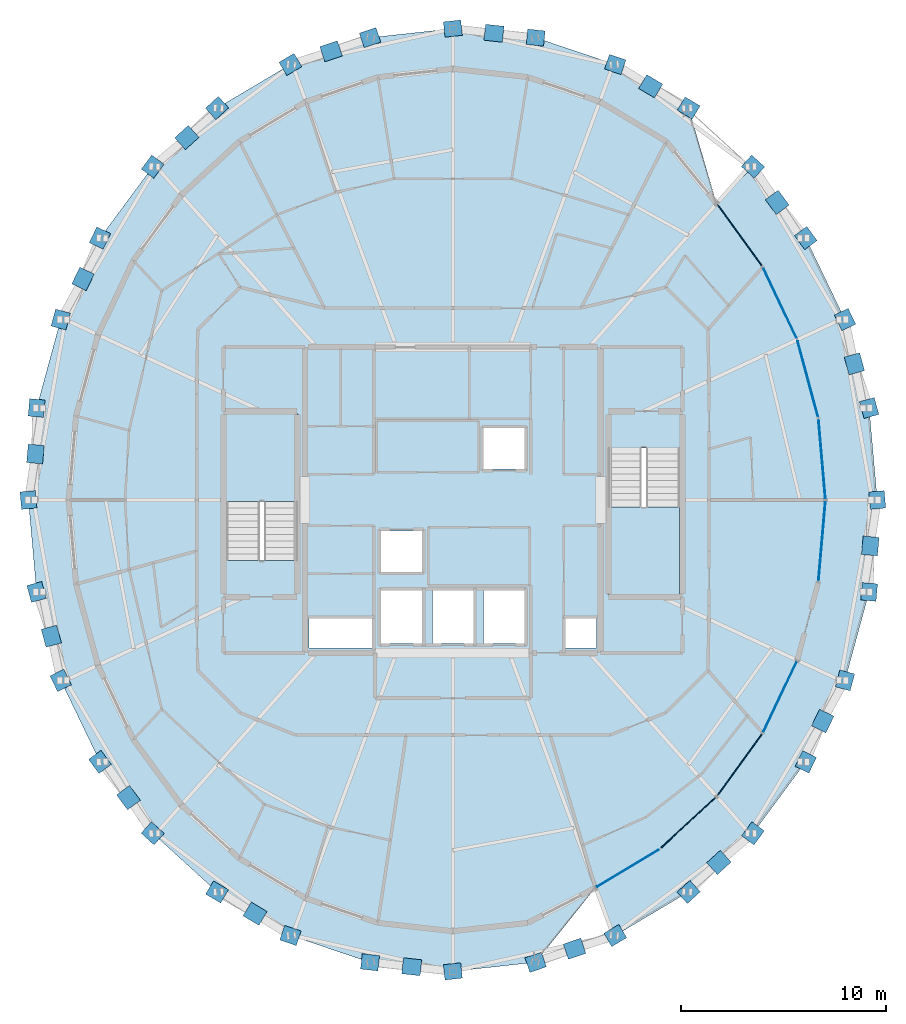
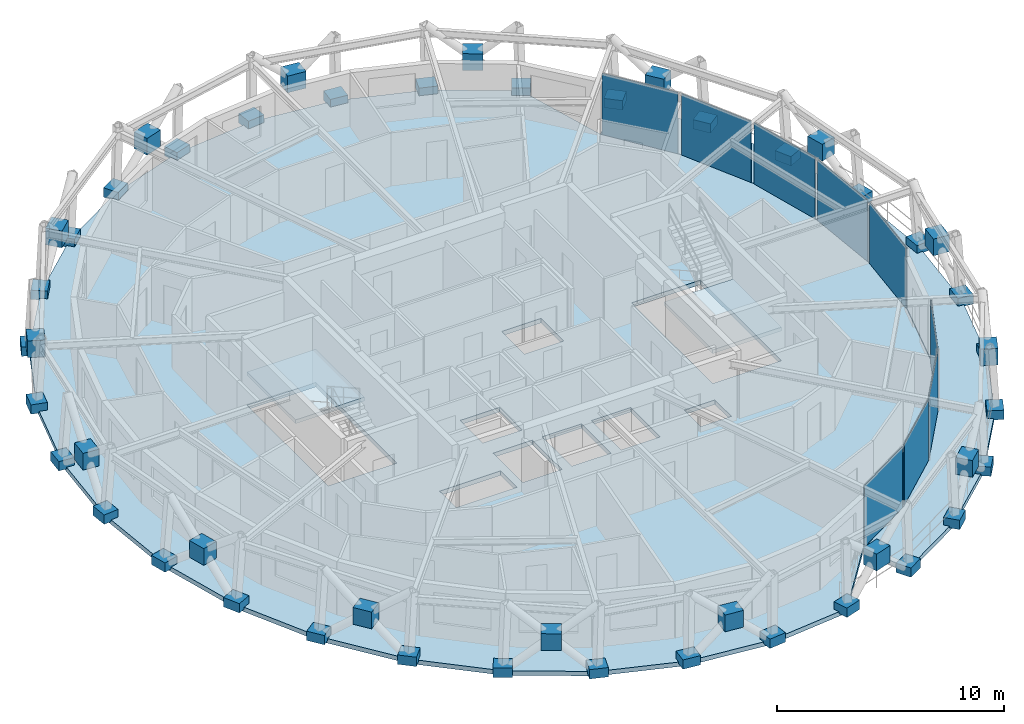
# One storey, part 9 of 16: 57 plates, 4 slabs, 4 elements without a shape of their own.
"""IFC4 building model written with IfcOpenShell, lengths in metres."""

from ifc_helpers import new_model, si_unit, direction, frame, origin, origin_2d, place, context, subcontext, project, spatial, polyline, rectangle, outline, extrude, material, layer, layer_set, type_object, element, aggregate, save


model = new_model("IFC4")

# Units and contexts
model_context = context("Model", 3, precision=1e-05, world=origin(), true_north=direction((0.0, 1.0)))
body_context = subcontext(model_context, "Body", "Model", "MODEL_VIEW")
ifc_project = project(units=[si_unit("LENGTHUNIT", "METRE"), si_unit("AREAUNIT", "SQUARE_METRE"), si_unit("VOLUMEUNIT", "CUBIC_METRE"), si_unit("PLANEANGLEUNIT", "RADIAN"), si_unit("MASSUNIT", "GRAM", prefix="KILO")], contexts=[model_context])

# Site, building, storey
site_placement = place(None, origin())
site = spatial("IfcSite", under=ifc_project, at=site_placement, CompositionType="ELEMENT")
building_placement = place(site_placement, origin())
building = spatial("IfcBuilding", under=site, at=building_placement, Name="Veldorina Hangang Commons", CompositionType="ELEMENT")
storey_placement = place(building_placement, frame((0.0, 0.0, 279.60009765625)))
storey = spatial("IfcBuildingStorey", under=building, at=storey_placement, Name="L73", CompositionType="ELEMENT", Elevation=279.60009765625)

# Curtain wall, plates
ifc_material_1 = material(Name="Glass Low-E Selective", Category="glass")
ifc_layer_1 = layer(ifc_material_1, 0.179931640625)
ifc_layer_set_1 = layer_set([ifc_layer_1], Name="Glass Low-E Selective")
curtain_wall_type = type_object("IfcCurtainWallType", Name="CW-SYS-Z3", PredefinedType="NOTDEFINED", material=ifc_layer_set_1)
curtain_wall_1_placement = place(storey_placement, origin())
curtain_wall_1 = element("IfcCurtainWall", 1, at=curtain_wall_1_placement, inside=storey, type_object=curtain_wall_type, Name="L73 unitised curtain wall CW-L73-R1", PredefinedType="NOTDEFINED")
ifc_material_2 = material(Name="Glass Low-E Triple IGU", Category="glass")
ifc_layer_2 = layer(ifc_material_2, 0.0400390625)
ifc_layer_set_2 = layer_set([ifc_layer_2], Name="Glass Low-E Triple IGU")
plate_type_1 = type_object("IfcPlateType", Name="CW-PNL-VIS", PredefinedType="CURTAIN_PANEL", material=ifc_layer_set_2)
plate_1_placement = place(storey_placement, frame((40.515869140625, 6.059814453125, 0.014892578125), z_axis=(0.0, 0.0, 1.0), x_axis=(0.85677152714, 0.515696180208, 0.0)))
plate_1 = element("IfcPlate", 2, at=plate_1_placement, type_object=plate_type_1, Name="CW-L73-R1 facet 1 glazed vision panel", PredefinedType="CURTAIN_PANEL", context=body_context, shape_type="SweptSolid", body=[
    extrude(rectangle(XDim=3.48291015625, YDim=0.0400390625, at=origin_2d()), origin(), (0.0, 0.0, 1.0), 3.2900390625),
])
plate_2_placement = place(storey_placement, frame((43.46044921875, 8.275390625, 0.014892578125), z_axis=(0.0, 0.0, 1.0), x_axis=(0.734429126148, 0.678685390049, 0.0)))
plate_2 = element("IfcPlate", 3, at=plate_2_placement, type_object=plate_type_1, Name="CW-L73-R1 facet 2 glazed vision panel", PredefinedType="CURTAIN_PANEL", context=body_context, shape_type="SweptSolid", body=[
    extrude(rectangle(XDim=3.5654296875, YDim=0.0400390625, at=origin_2d()), origin(), (0.0, 0.0, 1.0), 3.2900390625),
])
plate_3_placement = place(storey_placement, frame((45.964599609375, 11.09521484375, 0.014892578125), z_axis=(0.0, 0.0, 1.0), x_axis=(0.588984805907, 0.808144107453, 0.0)))
plate_3 = element("IfcPlate", 4, at=plate_3_placement, type_object=plate_type_1, Name="CW-L73-R1 facet 3 glazed vision panel", PredefinedType="CURTAIN_PANEL", context=body_context, shape_type="SweptSolid", body=[
    extrude(rectangle(XDim=3.65283203125, YDim=0.0400390625, at=origin_2d()), origin(), (0.0, 0.0, 1.0), 3.2900390625),
])
plate_4_placement = place(storey_placement, frame((47.93212890625, 14.410888671875, 0.014892578125), z_axis=(0.0, 0.0, 1.0), x_axis=(0.428824766976, 0.903387690434, 0.0)))
plate_4 = element("IfcPlate", 5, at=plate_4_placement, type_object=plate_type_1, Name="CW-L73-R1 facet 4 glazed vision panel", PredefinedType="CURTAIN_PANEL", context=body_context, shape_type="SweptSolid", body=[
    extrude(rectangle(XDim=3.731689453125, YDim=0.0400390625, at=origin_2d()), origin(), (0.0, 0.0, 1.0), 3.2900390625),
])
aggregate(curtain_wall_1, [plate_1, plate_2, plate_3, plate_4])

curtain_wall_2_placement = place(storey_placement, origin())
curtain_wall_2 = element("IfcCurtainWall", 6, at=curtain_wall_2_placement, inside=storey, type_object=curtain_wall_type, Name="L73 unitised curtain wall CW-L73-R2", PredefinedType="NOTDEFINED")
plate_5_placement = place(storey_placement, frame((49.978271484375, 22.006103515625, 0.014892578125), z_axis=(0.0, 0.0, 1.0), x_axis=(0.087138355857, 0.996196219095, 0.0)))
plate_5 = element("IfcPlate", 7, at=plate_5_placement, type_object=plate_type_1, Name="CW-L73-R2 facet 1 glazed vision panel", PredefinedType="CURTAIN_PANEL", context=body_context, shape_type="SweptSolid", body=[
    extrude(rectangle(XDim=3.822998046875, YDim=0.0400390625, at=origin_2d()), origin(), (0.0, 0.0, 1.0), 3.2900390625),
])
plate_6_placement = place(storey_placement, frame((49.978271484375, 25.993896484375, 0.014892578125), z_axis=(0.0, 0.0, 1.0), x_axis=(-0.087138355857, 0.996196219095, 0.0)))
plate_6 = element("IfcPlate", 8, at=plate_6_placement, type_object=plate_type_1, Name="CW-L73-R2 facet 2 glazed vision panel", PredefinedType="CURTAIN_PANEL", context=body_context, shape_type="SweptSolid", body=[
    extrude(rectangle(XDim=3.822998046875, YDim=0.0400390625, at=origin_2d()), origin(), (0.0, 0.0, 1.0), 3.2900390625),
])
plate_7_placement = place(storey_placement, frame((49.287353515625, 29.905029296875, 0.014892578125), z_axis=(0.0, 0.0, 1.0), x_axis=(-0.26011692211, 0.965577126299, 0.0)))
plate_7 = element("IfcPlate", 9, at=plate_7_placement, type_object=plate_type_1, Name="CW-L73-R2 facet 3 glazed vision panel", PredefinedType="CURTAIN_PANEL", context=body_context, shape_type="SweptSolid", body=[
    extrude(rectangle(XDim=3.791259765625, YDim=0.0400390625, at=origin_2d()), origin(), (0.0, 0.0, 1.0), 3.2900390625),
])
plate_8_placement = place(storey_placement, frame((47.93212890625, 33.589111328125, 0.014892578125), z_axis=(0.0, 0.0, 1.0), x_axis=(-0.428824766976, 0.903387690434, 0.0)))
plate_8 = element("IfcPlate", 10, at=plate_8_placement, type_object=plate_type_1, Name="CW-L73-R2 facet 4 glazed vision panel", PredefinedType="CURTAIN_PANEL", context=body_context, shape_type="SweptSolid", body=[
    extrude(rectangle(XDim=3.731689453125, YDim=0.0400390625, at=origin_2d()), origin(), (0.0, 0.0, 1.0), 3.2900390625),
])
plate_9_placement = place(storey_placement, frame((45.964599609375, 36.90478515625, 0.014892578125), z_axis=(0.0, 0.0, 1.0), x_axis=(-0.588984805907, 0.808144107453, 0.0)))
plate_9 = element("IfcPlate", 11, at=plate_9_placement, type_object=plate_type_1, Name="CW-L73-R2 facet 5 glazed vision panel", PredefinedType="CURTAIN_PANEL", context=body_context, shape_type="SweptSolid", body=[
    extrude(rectangle(XDim=3.65283203125, YDim=0.0400390625, at=origin_2d()), origin(), (0.0, 0.0, 1.0), 3.2900390625),
])
aggregate(curtain_wall_2, [plate_5, plate_6, plate_7, plate_8, plate_9])

# Plates
ifc_material_3 = material(Name="Steel SM460-TMC", Category="steel")
ifc_layer_3 = layer(ifc_material_3, 0.035888671875)
ifc_layer_set_3 = layer_set([ifc_layer_3], Name="Steel SM460-TMC")
plate_type_2 = type_object("IfcPlateType", Name="PL-STAR-36", PredefinedType="USERDEFINED", material=ifc_layer_set_3)
for number, where, z_axis, x_axis, name in (
    (12, (52.672607421875, 24.0, -0.090087890625), (0.0, 0.0, 1.0), (-0.088320603683, 0.99609209964, 0.0), "L73 diagrid star-node gusset plate 00"),
    (13, (52.275390625, 28.4794921875, -0.090087890625), (0.0, 0.0, 1.0), (-0.263468993961, 0.964667864719, 0.0), "L73 diagrid star-node gusset plate 01"),
):
    element("IfcPlate", number, at=place(storey_placement, frame(where, z_axis=z_axis, x_axis=x_axis)), inside=storey, type_object=plate_type_2, Name=name, ObjectType="GUSSET PLATE", PredefinedType="USERDEFINED", context=body_context, shape_type="SweptSolid", body=[
        extrude(rectangle(XDim=0.85009765625, YDim=0.75, at=origin_2d()), origin(), (0.0, 0.0, 1.0), 0.5),
    ])
plate_10_placement = place(storey_placement, frame((51.555908203125, 30.632080078125, 1.351318359375), z_axis=(0.0, 0.0, 1.0), x_axis=(-0.263468993961, 0.964667864719, 0.0)))
element("IfcPlate", 14, at=plate_10_placement, inside=storey, type_object=plate_type_2, Name="L73 diagrid X-crossing star-node gusset plate 01", ObjectType="GUSSET PLATE", PredefinedType="USERDEFINED", context=body_context, shape_type="SweptSolid", body=[
    extrude(rectangle(XDim=0.89990234375, YDim=0.780029296875, at=origin_2d()), origin(), (0.0, 0.0, 1.0), 0.89990234375),
])
for number, where, z_axis, x_axis, name in (
    (15, (51.09912109375, 32.78662109375, -0.090087890625), (0.0, 0.0, 1.0), (-0.433659084588, 0.901077021322, 0.0), "L73 diagrid star-node gusset plate 02"),
    (16, (49.188720703125, 36.756103515625, -0.090087890625), (0.0, 0.0, 1.0), (-0.594261443885, 0.804271929332, 0.0), "L73 diagrid star-node gusset plate 03"),
):
    element("IfcPlate", number, at=place(storey_placement, frame(where, z_axis=z_axis, x_axis=x_axis)), inside=storey, type_object=plate_type_2, Name=name, ObjectType="GUSSET PLATE", PredefinedType="USERDEFINED", context=body_context, shape_type="SweptSolid", body=[
        extrude(rectangle(XDim=0.85009765625, YDim=0.75, at=origin_2d()), origin(), (0.0, 0.0, 1.0), 0.5),
    ])
plate_11_placement = place(storey_placement, frame((47.799560546875, 38.49609375, 1.354736328125), z_axis=(0.0, 0.0, 1.0), x_axis=(-0.594261443885, 0.804271929332, 0.0)))
element("IfcPlate", 17, at=plate_11_placement, inside=storey, type_object=plate_type_2, Name="L73 diagrid X-crossing star-node gusset plate 03", ObjectType="GUSSET PLATE", PredefinedType="USERDEFINED", context=body_context, shape_type="SweptSolid", body=[
    extrude(rectangle(XDim=0.89990234375, YDim=0.780029296875, at=origin_2d()), origin(), (0.0, 0.0, 1.0), 0.89990234375),
])
for number, where, z_axis, x_axis, name in (
    (18, (46.617919921875, 40.235595703125, -0.090087890625), (0.0, 0.0, 1.0), (-0.739055256642, 0.673644808212, 0.0), "L73 diagrid star-node gusset plate 04"),
    (19, (43.485107421875, 43.091064453125, -0.090087890625), (0.0, 0.0, 1.0), (-0.859879002383, 0.510497895452, 0.0), "L73 diagrid star-node gusset plate 05"),
):
    element("IfcPlate", number, at=place(storey_placement, frame(where, z_axis=z_axis, x_axis=x_axis)), inside=storey, type_object=plate_type_2, Name=name, ObjectType="GUSSET PLATE", PredefinedType="USERDEFINED", context=body_context, shape_type="SweptSolid", body=[
        extrude(rectangle(XDim=0.85009765625, YDim=0.75, at=origin_2d()), origin(), (0.0, 0.0, 1.0), 0.5),
    ])
plate_12_placement = place(storey_placement, frame((41.634521484375, 44.151611328125, 1.359130859375), z_axis=(0.0, 0.0, 1.0), x_axis=(-0.859879002383, 0.510497895452, 0.0)))
element("IfcPlate", 20, at=plate_12_placement, inside=storey, type_object=plate_type_2, Name="L73 diagrid X-crossing star-node gusset plate 05", ObjectType="GUSSET PLATE", PredefinedType="USERDEFINED", context=body_context, shape_type="SweptSolid", body=[
    extrude(rectangle(XDim=0.89990234375, YDim=0.780029296875, at=origin_2d()), origin(), (0.0, 0.0, 1.0), 0.89990234375),
])
for number, where, z_axis, x_axis, name in (
    (21, (39.9111328125, 45.212890625, -0.090087890625), (0.0, 0.0, 1.0), (-0.947657014468, 0.319290123445, 0.0), "L73 diagrid star-node gusset plate 06"),
    (22, (36.032958984375, 46.519287109375, -0.090087890625), (0.0, 0.0, 1.0), (-0.994069631401, 0.108745427147, 0.0), "L73 diagrid star-node gusset plate 07"),
):
    element("IfcPlate", number, at=place(storey_placement, frame(where, z_axis=z_axis, x_axis=x_axis)), inside=storey, type_object=plate_type_2, Name=name, ObjectType="GUSSET PLATE", PredefinedType="USERDEFINED", context=body_context, shape_type="SweptSolid", body=[
        extrude(rectangle(XDim=0.85009765625, YDim=0.75, at=origin_2d()), origin(), (0.0, 0.0, 1.0), 0.5),
    ])
plate_13_placement = place(storey_placement, frame((34.002685546875, 46.7353515625, 1.3623046875), z_axis=(0.0, 0.0, 1.0), x_axis=(-0.994069631401, 0.108745427147, 0.0)))
element("IfcPlate", 23, at=plate_13_placement, inside=storey, type_object=plate_type_2, Name="L73 diagrid X-crossing star-node gusset plate 07", ObjectType="GUSSET PLATE", PredefinedType="USERDEFINED", context=body_context, shape_type="SweptSolid", body=[
    extrude(rectangle(XDim=0.89990234375, YDim=0.780029296875, at=origin_2d()), origin(), (0.0, 0.0, 1.0), 0.89990234375),
])
for number, where, z_axis, x_axis, name in (
    (24, (32.0, 46.960693359375, -0.090087890625), (0.0, 0.0, 1.0), (-0.994069631401, -0.108745427147, 0.0), "L73 diagrid star-node gusset plate 08"),
    (25, (27.967041015625, 46.519287109375, -0.090087890625), (0.0, 0.0, 1.0), (-0.947657014468, -0.319290123445, 0.0), "L73 diagrid star-node gusset plate 09"),
):
    element("IfcPlate", number, at=place(storey_placement, frame(where, z_axis=z_axis, x_axis=x_axis)), inside=storey, type_object=plate_type_2, Name=name, ObjectType="GUSSET PLATE", PredefinedType="USERDEFINED", context=body_context, shape_type="SweptSolid", body=[
        extrude(rectangle(XDim=0.85009765625, YDim=0.75, at=origin_2d()), origin(), (0.0, 0.0, 1.0), 0.5),
    ])
plate_14_placement = place(storey_placement, frame((26.0703125, 45.8564453125, 1.361083984375), z_axis=(0.0, 0.0, 1.0), x_axis=(-0.947657014468, -0.319290123445, 0.0)))
element("IfcPlate", 26, at=plate_14_placement, inside=storey, type_object=plate_type_2, Name="L73 diagrid X-crossing star-node gusset plate 09", ObjectType="GUSSET PLATE", PredefinedType="USERDEFINED", context=body_context, shape_type="SweptSolid", body=[
    extrude(rectangle(XDim=0.89990234375, YDim=0.780029296875, at=origin_2d()), origin(), (0.0, 0.0, 1.0), 0.89990234375),
])
for number, where, z_axis, x_axis, name in (
    (27, (24.0888671875, 45.212890625, -0.090087890625), (0.0, 0.0, 1.0), (-0.859879002383, -0.510497895452, 0.0), "L73 diagrid star-node gusset plate 10"),
    (28, (20.514892578125, 43.091064453125, -0.090087890625), (0.0, 0.0, 1.0), (-0.739055256642, -0.673644808212, 0.0), "L73 diagrid star-node gusset plate 11"),
):
    element("IfcPlate", number, at=place(storey_placement, frame(where, z_axis=z_axis, x_axis=x_axis)), inside=storey, type_object=plate_type_2, Name=name, ObjectType="GUSSET PLATE", PredefinedType="USERDEFINED", context=body_context, shape_type="SweptSolid", body=[
        extrude(rectangle(XDim=0.85009765625, YDim=0.75, at=origin_2d()), origin(), (0.0, 0.0, 1.0), 0.5),
    ])
plate_15_placement = place(storey_placement, frame((19.04296875, 41.653564453125, 1.35693359375), z_axis=(0.0, 0.0, 1.0), x_axis=(-0.739055256642, -0.673644808212, 0.0)))
element("IfcPlate", 29, at=plate_15_placement, inside=storey, type_object=plate_type_2, Name="L73 diagrid X-crossing star-node gusset plate 11", ObjectType="GUSSET PLATE", PredefinedType="USERDEFINED", context=body_context, shape_type="SweptSolid", body=[
    extrude(rectangle(XDim=0.89990234375, YDim=0.780029296875, at=origin_2d()), origin(), (0.0, 0.0, 1.0), 0.89990234375),
])
for number, where, z_axis, x_axis, name in (
    (30, (17.382080078125, 40.235595703125, -0.090087890625), (0.0, 0.0, 1.0), (-0.594261443885, -0.804271929332, 0.0), "L73 diagrid star-node gusset plate 12"),
    (31, (14.811279296875, 36.756103515625, -0.090087890625), (0.0, 0.0, 1.0), (-0.433659084588, -0.901077021322, 0.0), "L73 diagrid star-node gusset plate 13"),
):
    element("IfcPlate", number, at=place(storey_placement, frame(where, z_axis=z_axis, x_axis=x_axis)), inside=storey, type_object=plate_type_2, Name=name, ObjectType="GUSSET PLATE", PredefinedType="USERDEFINED", context=body_context, shape_type="SweptSolid", body=[
        extrude(rectangle(XDim=0.85009765625, YDim=0.75, at=origin_2d()), origin(), (0.0, 0.0, 1.0), 0.5),
    ])
plate_16_placement = place(storey_placement, frame((13.985595703125, 34.76611328125, 1.3525390625), z_axis=(0.0, 0.0, 1.0), x_axis=(-0.433659084588, -0.901077021322, 0.0)))
element("IfcPlate", 32, at=plate_16_placement, inside=storey, type_object=plate_type_2, Name="L73 diagrid X-crossing star-node gusset plate 13", ObjectType="GUSSET PLATE", PredefinedType="USERDEFINED", context=body_context, shape_type="SweptSolid", body=[
    extrude(rectangle(XDim=0.89990234375, YDim=0.780029296875, at=origin_2d()), origin(), (0.0, 0.0, 1.0), 0.89990234375),
])
for number, where, z_axis, x_axis, name in (
    (33, (12.90087890625, 32.78662109375, -0.090087890625), (0.0, 0.0, 1.0), (-0.263468993961, -0.964667864719, 0.0), "L73 diagrid star-node gusset plate 14"),
    (34, (11.724609375, 28.4794921875, -0.090087890625), (0.0, 0.0, 1.0), (-0.088320603683, -0.99609209964, 0.0), "L73 diagrid star-node gusset plate 15"),
):
    element("IfcPlate", number, at=place(storey_placement, frame(where, z_axis=z_axis, x_axis=x_axis)), inside=storey, type_object=plate_type_2, Name=name, ObjectType="GUSSET PLATE", PredefinedType="USERDEFINED", context=body_context, shape_type="SweptSolid", body=[
        extrude(rectangle(XDim=0.85009765625, YDim=0.75, at=origin_2d()), origin(), (0.0, 0.0, 1.0), 0.5),
    ])
plate_17_placement = place(storey_placement, frame((11.66748046875, 26.239013671875, 1.3505859375), z_axis=(0.0, 0.0, 1.0), x_axis=(-0.088320603683, -0.99609209964, 0.0)))
element("IfcPlate", 35, at=plate_17_placement, inside=storey, type_object=plate_type_2, Name="L73 diagrid X-crossing star-node gusset plate 15", ObjectType="GUSSET PLATE", PredefinedType="USERDEFINED", context=body_context, shape_type="SweptSolid", body=[
    extrude(rectangle(XDim=0.89990234375, YDim=0.780029296875, at=origin_2d()), origin(), (0.0, 0.0, 1.0), 0.89990234375),
])
for number, where, z_axis, x_axis, name in (
    (36, (11.327392578125, 24.0, -0.090087890625), (0.0, 0.0, 1.0), (0.088320603683, -0.99609209964, 0.0), "L73 diagrid star-node gusset plate 16"),
    (37, (11.724609375, 19.5205078125, -0.090087890625), (0.0, 0.0, 1.0), (0.263468993961, -0.964667864719, 0.0), "L73 diagrid star-node gusset plate 17"),
):
    element("IfcPlate", number, at=place(storey_placement, frame(where, z_axis=z_axis, x_axis=x_axis)), inside=storey, type_object=plate_type_2, Name=name, ObjectType="GUSSET PLATE", PredefinedType="USERDEFINED", context=body_context, shape_type="SweptSolid", body=[
        extrude(rectangle(XDim=0.85009765625, YDim=0.75, at=origin_2d()), origin(), (0.0, 0.0, 1.0), 0.5),
    ])
plate_18_placement = place(storey_placement, frame((12.444091796875, 17.367919921875, 1.351318359375), z_axis=(0.0, 0.0, 1.0), x_axis=(0.263468993961, -0.964667864719, 0.0)))
element("IfcPlate", 38, at=plate_18_placement, inside=storey, type_object=plate_type_2, Name="L73 diagrid X-crossing star-node gusset plate 17", ObjectType="GUSSET PLATE", PredefinedType="USERDEFINED", context=body_context, shape_type="SweptSolid", body=[
    extrude(rectangle(XDim=0.89990234375, YDim=0.780029296875, at=origin_2d()), origin(), (0.0, 0.0, 1.0), 0.89990234375),
])
for number, where, z_axis, x_axis, name in (
    (39, (12.90087890625, 15.21337890625, -0.090087890625), (0.0, 0.0, 1.0), (0.433659084588, -0.901077021322, 0.0), "L73 diagrid star-node gusset plate 18"),
    (40, (14.811279296875, 11.243896484375, -0.090087890625), (0.0, 0.0, 1.0), (0.594261443885, -0.804271929332, 0.0), "L73 diagrid star-node gusset plate 19"),
):
    element("IfcPlate", number, at=place(storey_placement, frame(where, z_axis=z_axis, x_axis=x_axis)), inside=storey, type_object=plate_type_2, Name=name, ObjectType="GUSSET PLATE", PredefinedType="USERDEFINED", context=body_context, shape_type="SweptSolid", body=[
        extrude(rectangle(XDim=0.85009765625, YDim=0.75, at=origin_2d()), origin(), (0.0, 0.0, 1.0), 0.5),
    ])
plate_19_placement = place(storey_placement, frame((16.200439453125, 9.50390625, 1.354736328125), z_axis=(0.0, 0.0, 1.0), x_axis=(0.594261443885, -0.804271929332, 0.0)))
element("IfcPlate", 41, at=plate_19_placement, inside=storey, type_object=plate_type_2, Name="L73 diagrid X-crossing star-node gusset plate 19", ObjectType="GUSSET PLATE", PredefinedType="USERDEFINED", context=body_context, shape_type="SweptSolid", body=[
    extrude(rectangle(XDim=0.89990234375, YDim=0.780029296875, at=origin_2d()), origin(), (0.0, 0.0, 1.0), 0.89990234375),
])
for number, where, z_axis, x_axis, name in (
    (42, (17.382080078125, 7.764404296875, -0.090087890625), (0.0, 0.0, 1.0), (0.739055256642, -0.673644808212, 0.0), "L73 diagrid star-node gusset plate 20"),
    (43, (20.514892578125, 4.908935546875, -0.090087890625), (0.0, 0.0, 1.0), (0.859879002383, -0.510497895452, 0.0), "L73 diagrid star-node gusset plate 21"),
):
    element("IfcPlate", number, at=place(storey_placement, frame(where, z_axis=z_axis, x_axis=x_axis)), inside=storey, type_object=plate_type_2, Name=name, ObjectType="GUSSET PLATE", PredefinedType="USERDEFINED", context=body_context, shape_type="SweptSolid", body=[
        extrude(rectangle(XDim=0.85009765625, YDim=0.75, at=origin_2d()), origin(), (0.0, 0.0, 1.0), 0.5),
    ])
plate_20_placement = place(storey_placement, frame((22.365478515625, 3.848388671875, 1.359130859375), z_axis=(0.0, 0.0, 1.0), x_axis=(0.859879002383, -0.510497895452, 0.0)))
element("IfcPlate", 44, at=plate_20_placement, inside=storey, type_object=plate_type_2, Name="L73 diagrid X-crossing star-node gusset plate 21", ObjectType="GUSSET PLATE", PredefinedType="USERDEFINED", context=body_context, shape_type="SweptSolid", body=[
    extrude(rectangle(XDim=0.89990234375, YDim=0.780029296875, at=origin_2d()), origin(), (0.0, 0.0, 1.0), 0.89990234375),
])
for number, where, z_axis, x_axis, name in (
    (45, (24.0888671875, 2.787109375, -0.090087890625), (0.0, 0.0, 1.0), (0.947657014468, -0.319290123445, 0.0), "L73 diagrid star-node gusset plate 22"),
    (46, (27.967041015625, 1.480712890625, -0.090087890625), (0.0, 0.0, 1.0), (0.994069631401, -0.108745427147, 0.0), "L73 diagrid star-node gusset plate 23"),
):
    element("IfcPlate", number, at=place(storey_placement, frame(where, z_axis=z_axis, x_axis=x_axis)), inside=storey, type_object=plate_type_2, Name=name, ObjectType="GUSSET PLATE", PredefinedType="USERDEFINED", context=body_context, shape_type="SweptSolid", body=[
        extrude(rectangle(XDim=0.85009765625, YDim=0.75, at=origin_2d()), origin(), (0.0, 0.0, 1.0), 0.5),
    ])
plate_21_placement = place(storey_placement, frame((29.997314453125, 1.2646484375, 1.3623046875), z_axis=(0.0, 0.0, 1.0), x_axis=(0.994069631401, -0.108745427147, 0.0)))
element("IfcPlate", 47, at=plate_21_placement, inside=storey, type_object=plate_type_2, Name="L73 diagrid X-crossing star-node gusset plate 23", ObjectType="GUSSET PLATE", PredefinedType="USERDEFINED", context=body_context, shape_type="SweptSolid", body=[
    extrude(rectangle(XDim=0.89990234375, YDim=0.780029296875, at=origin_2d()), origin(), (0.0, 0.0, 1.0), 0.89990234375),
])
for number, where, z_axis, x_axis, name in (
    (48, (32.0, 1.039306640625, -0.090087890625), (0.0, 0.0, 1.0), (0.994069631401, 0.108745427147, 0.0), "L73 diagrid star-node gusset plate 24"),
    (49, (36.032958984375, 1.480712890625, -0.090087890625), (0.0, 0.0, 1.0), (0.947657014468, 0.319290123445, 0.0), "L73 diagrid star-node gusset plate 25"),
):
    element("IfcPlate", number, at=place(storey_placement, frame(where, z_axis=z_axis, x_axis=x_axis)), inside=storey, type_object=plate_type_2, Name=name, ObjectType="GUSSET PLATE", PredefinedType="USERDEFINED", context=body_context, shape_type="SweptSolid", body=[
        extrude(rectangle(XDim=0.85009765625, YDim=0.75, at=origin_2d()), origin(), (0.0, 0.0, 1.0), 0.5),
    ])
plate_22_placement = place(storey_placement, frame((37.9296875, 2.1435546875, 1.361083984375), z_axis=(0.0, 0.0, 1.0), x_axis=(0.947657014468, 0.319290123445, 0.0)))
element("IfcPlate", 50, at=plate_22_placement, inside=storey, type_object=plate_type_2, Name="L73 diagrid X-crossing star-node gusset plate 25", ObjectType="GUSSET PLATE", PredefinedType="USERDEFINED", context=body_context, shape_type="SweptSolid", body=[
    extrude(rectangle(XDim=0.89990234375, YDim=0.780029296875, at=origin_2d()), origin(), (0.0, 0.0, 1.0), 0.89990234375),
])
for number, where, z_axis, x_axis, name in (
    (51, (39.9111328125, 2.787109375, -0.090087890625), (0.0, 0.0, 1.0), (0.859879002383, 0.510497895452, 0.0), "L73 diagrid star-node gusset plate 26"),
    (52, (43.485107421875, 4.908935546875, -0.090087890625), (0.0, 0.0, 1.0), (0.739055256642, 0.673644808212, 0.0), "L73 diagrid star-node gusset plate 27"),
):
    element("IfcPlate", number, at=place(storey_placement, frame(where, z_axis=z_axis, x_axis=x_axis)), inside=storey, type_object=plate_type_2, Name=name, ObjectType="GUSSET PLATE", PredefinedType="USERDEFINED", context=body_context, shape_type="SweptSolid", body=[
        extrude(rectangle(XDim=0.85009765625, YDim=0.75, at=origin_2d()), origin(), (0.0, 0.0, 1.0), 0.5),
    ])
plate_23_placement = place(storey_placement, frame((44.95703125, 6.346435546875, 1.35693359375), z_axis=(0.0, 0.0, 1.0), x_axis=(0.739055256642, 0.673644808212, 0.0)))
element("IfcPlate", 53, at=plate_23_placement, inside=storey, type_object=plate_type_2, Name="L73 diagrid X-crossing star-node gusset plate 27", ObjectType="GUSSET PLATE", PredefinedType="USERDEFINED", context=body_context, shape_type="SweptSolid", body=[
    extrude(rectangle(XDim=0.89990234375, YDim=0.780029296875, at=origin_2d()), origin(), (0.0, 0.0, 1.0), 0.89990234375),
])
for number, where, z_axis, x_axis, name in (
    (54, (46.617919921875, 7.764404296875, -0.090087890625), (0.0, 0.0, 1.0), (0.594261443885, 0.804271929332, 0.0), "L73 diagrid star-node gusset plate 28"),
    (55, (49.188720703125, 11.243896484375, -0.090087890625), (0.0, 0.0, 1.0), (0.433659084588, 0.901077021322, 0.0), "L73 diagrid star-node gusset plate 29"),
):
    element("IfcPlate", number, at=place(storey_placement, frame(where, z_axis=z_axis, x_axis=x_axis)), inside=storey, type_object=plate_type_2, Name=name, ObjectType="GUSSET PLATE", PredefinedType="USERDEFINED", context=body_context, shape_type="SweptSolid", body=[
        extrude(rectangle(XDim=0.85009765625, YDim=0.75, at=origin_2d()), origin(), (0.0, 0.0, 1.0), 0.5),
    ])
plate_24_placement = place(storey_placement, frame((50.014404296875, 13.23388671875, 1.3525390625), z_axis=(0.0, 0.0, 1.0), x_axis=(0.433659084588, 0.901077021322, 0.0)))
element("IfcPlate", 56, at=plate_24_placement, inside=storey, type_object=plate_type_2, Name="L73 diagrid X-crossing star-node gusset plate 29", ObjectType="GUSSET PLATE", PredefinedType="USERDEFINED", context=body_context, shape_type="SweptSolid", body=[
    extrude(rectangle(XDim=0.89990234375, YDim=0.780029296875, at=origin_2d()), origin(), (0.0, 0.0, 1.0), 0.89990234375),
])
for number, where, z_axis, x_axis, name in (
    (57, (51.09912109375, 15.21337890625, -0.090087890625), (0.0, 0.0, 1.0), (0.263468993961, 0.964667864719, 0.0), "L73 diagrid star-node gusset plate 30"),
    (58, (52.275390625, 19.5205078125, -0.090087890625), (0.0, 0.0, 1.0), (0.088320603683, 0.99609209964, 0.0), "L73 diagrid star-node gusset plate 31"),
):
    element("IfcPlate", number, at=place(storey_placement, frame(where, z_axis=z_axis, x_axis=x_axis)), inside=storey, type_object=plate_type_2, Name=name, ObjectType="GUSSET PLATE", PredefinedType="USERDEFINED", context=body_context, shape_type="SweptSolid", body=[
        extrude(rectangle(XDim=0.85009765625, YDim=0.75, at=origin_2d()), origin(), (0.0, 0.0, 1.0), 0.5),
    ])
plate_25_placement = place(storey_placement, frame((52.33251953125, 21.760986328125, 1.3505859375), z_axis=(0.0, 0.0, 1.0), x_axis=(0.088320603683, 0.99609209964, 0.0)))
element("IfcPlate", 59, at=plate_25_placement, inside=storey, type_object=plate_type_2, Name="L73 diagrid X-crossing star-node gusset plate 31", ObjectType="GUSSET PLATE", PredefinedType="USERDEFINED", context=body_context, shape_type="SweptSolid", body=[
    extrude(rectangle(XDim=0.89990234375, YDim=0.780029296875, at=origin_2d()), origin(), (0.0, 0.0, 1.0), 0.89990234375),
])

# Slabs
ifc_material_4 = material(Name="Concrete C40/50", Category="concrete")
ifc_layer_4 = layer(ifc_material_4, 0.239990234375)
ifc_layer_set_4 = layer_set([ifc_layer_4], Name="Concrete C40/50")
slab_type_1 = type_object("IfcSlabType", Name="SL-FLR-240", PredefinedType="FLOOR", material=ifc_layer_set_4)
slab_1_placement = place(storey_placement, frame((0.0, 0.0, -0.239990234375)))
element("IfcSlab", 60, at=slab_1_placement, inside=storey, type_object=slab_type_1, Name="L73 tower structural floor slab", PredefinedType="FLOOR", context=body_context, shape_type="SweptSolid", body=[
    extrude(outline(polyline([(50.152587890625, 24.0), (49.803955078125, 27.98779296875), (48.77099609375, 31.822265625), (47.093505859375, 35.356201171875), (44.8359375, 38.45361328125), (43.485107421875, 43.091064453125), (39.9111328125, 45.212890625), (36.032958984375, 46.519287109375), (32.0, 46.960693359375), (27.967041015625, 46.519287109375), (24.0888671875, 45.212890625), (20.514892578125, 43.091064453125), (17.382080078125, 40.235595703125), (14.811279296875, 36.756103515625), (12.90087890625, 32.78662109375), (11.724609375, 28.4794921875), (11.327392578125, 24.0), (11.724609375, 19.5205078125), (12.90087890625, 15.21337890625), (14.811279296875, 11.243896484375), (17.382080078125, 7.764404296875), (20.514892578125, 4.908935546875), (24.0888671875, 2.787109375), (27.967041015625, 1.480712890625), (32.0, 1.039306640625), (36.032958984375, 1.480712890625), (38.94677734375, 5.115234375), (42.085205078125, 7.00439453125), (44.8359375, 9.54638671875), (47.093505859375, 12.643798828125), (48.77099609375, 16.177734375), (49.803955078125, 20.01220703125), (50.152587890625, 24.0)]), holes=[polyline([(20.949951171875, 21.05810546875), (20.949951171875, 28.199951171875), (24.449951171875, 28.199951171875), (24.449951171875, 21.05810546875), (20.949951171875, 21.05810546875)]), polyline([(43.050048828125, 26.5419921875), (43.050048828125, 19.39990234375), (39.550048828125, 19.39990234375), (39.550048828125, 26.5419921875), (43.050048828125, 26.5419921875)]), polyline([(33.5, 27.5), (35.5, 27.5), (35.5, 25.5), (33.5, 25.5), (33.5, 27.5)]), polyline([(28.5, 22.5), (30.5, 22.5), (30.5, 20.5), (28.5, 20.5), (28.5, 22.5)]), polyline([(28.5, 19.60009765625), (30.5, 19.60009765625), (30.5, 17.0), (28.5, 17.0), (28.5, 19.60009765625)]), polyline([(31.0, 19.60009765625), (33.0, 19.60009765625), (33.0, 17.0), (31.0, 17.0), (31.0, 19.60009765625)]), polyline([(33.5, 19.60009765625), (35.5, 19.60009765625), (35.5, 17.0), (33.5, 17.0), (33.5, 19.60009765625)]), polyline([(25.0, 18.25), (28.10009765625, 18.25), (28.10009765625, 16.800048828125), (25.0, 16.800048828125), (25.0, 18.25)]), polyline([(37.449951171875, 18.25), (39.0, 18.25), (39.0, 16.800048828125), (37.449951171875, 16.800048828125), (37.449951171875, 18.25)])]), origin(), (0.0, 0.0, 1.0), 0.239990234375),
])
slab_2_placement = place(storey_placement, frame((0.0, 0.0, -0.239990234375)))
element("IfcSlab", 61, at=slab_2_placement, inside=storey, type_object=slab_type_1, Name="L73 sky-garden loggia outdoor slab", PredefinedType="FLOOR", context=body_context, shape_type="SweptSolid", body=[
    extrude(outline(polyline([(46.617919921875, 40.235595703125), (49.188720703125, 36.756103515625), (51.09912109375, 32.78662109375), (52.275390625, 28.4794921875), (52.672607421875, 24.0), (52.275390625, 19.5205078125), (51.09912109375, 15.21337890625), (49.188720703125, 11.243896484375), (46.617919921875, 7.764404296875), (43.485107421875, 4.908935546875), (39.9111328125, 2.787109375), (38.953125, 5.099609375), (38.956787109375, 5.103759765625), (42.0927734375, 6.991455078125), (42.093994140625, 6.9921875), (42.09521484375, 6.993408203125), (44.84619140625, 9.535400390625), (44.84716796875, 9.536376953125), (44.847900390625, 9.53759765625), (47.10546875, 12.635009765625), (47.106201171875, 12.635986328125), (47.10693359375, 12.637451171875), (48.784423828125, 16.17138671875), (48.784912109375, 16.172607421875), (48.785400390625, 16.173828125), (49.818359375, 20.00830078125), (49.818603515625, 20.009521484375), (49.81884765625, 20.010986328125), (50.16748046875, 23.998779296875), (50.167724609375, 24.0), (50.16748046875, 24.001220703125), (49.81884765625, 27.989013671875), (49.818603515625, 27.990478515625), (49.818359375, 27.99169921875), (48.785400390625, 31.826171875), (48.784912109375, 31.827392578125), (48.784423828125, 31.82861328125), (47.10693359375, 35.362548828125), (47.106201171875, 35.364013671875), (47.10546875, 35.364990234375), (44.849609375, 38.46044921875), (44.847900390625, 38.4658203125), (46.617919921875, 40.235595703125)])), origin(), (0.0, 0.0, 1.0), 0.239990234375),
])

# Stair, slab
stair_type = type_object("IfcStairType", Name="STR-DOG-1650-20R", PredefinedType="HALF_TURN_STAIR", material=ifc_material_4)
stair_1_placement = place(storey_placement, origin())
stair_1 = element("IfcStair", 62, at=stair_1_placement, inside=storey, type_object=stair_type, Name="L73 Exit stair ST-1", PredefinedType="HALF_TURN_STAIR")
ifc_layer_5 = layer(ifc_material_4, 0.199951171875)
ifc_layer_set_5 = layer_set([ifc_layer_5], Name="Concrete C40/50")
slab_type_2 = type_object("IfcSlabType", Name="SL-LND-200", PredefinedType="LANDING", material=ifc_layer_set_5)
slab_3_placement = place(storey_placement, frame((0.0, 0.0, 1.599853515625)))
slab_3 = element("IfcSlab", 63, at=slab_3_placement, type_object=slab_type_2, Name="ST-1 landing 1", PredefinedType="LANDING", context=body_context, shape_type="SweptSolid", body=[
    extrude(outline(polyline([(24.449951171875, 23.929931640625), (24.449951171875, 28.199951171875), (20.949951171875, 28.199951171875), (20.949951171875, 23.929931640625), (24.449951171875, 23.929931640625)])), origin(), (0.0, 0.0, 1.0), 0.199951171875),
])
aggregate(stair_1, [slab_3])

stair_2_placement = place(storey_placement, origin())
stair_2 = element("IfcStair", 64, at=stair_2_placement, inside=storey, type_object=stair_type, Name="L73 Exit stair ST-2", PredefinedType="HALF_TURN_STAIR")
slab_4_placement = place(storey_placement, frame((0.0, 0.0, 1.599853515625)))
slab_4 = element("IfcSlab", 65, at=slab_4_placement, type_object=slab_type_2, Name="ST-2 landing 1", PredefinedType="LANDING", context=body_context, shape_type="SweptSolid", body=[
    extrude(outline(polyline([(39.550048828125, 23.669921875), (39.550048828125, 19.39990234375), (43.050048828125, 19.39990234375), (43.050048828125, 23.669921875), (39.550048828125, 23.669921875)])), origin(), (0.0, 0.0, 1.0), 0.199951171875),
])
aggregate(stair_2, [slab_4])

save(model, "model.ifc")
